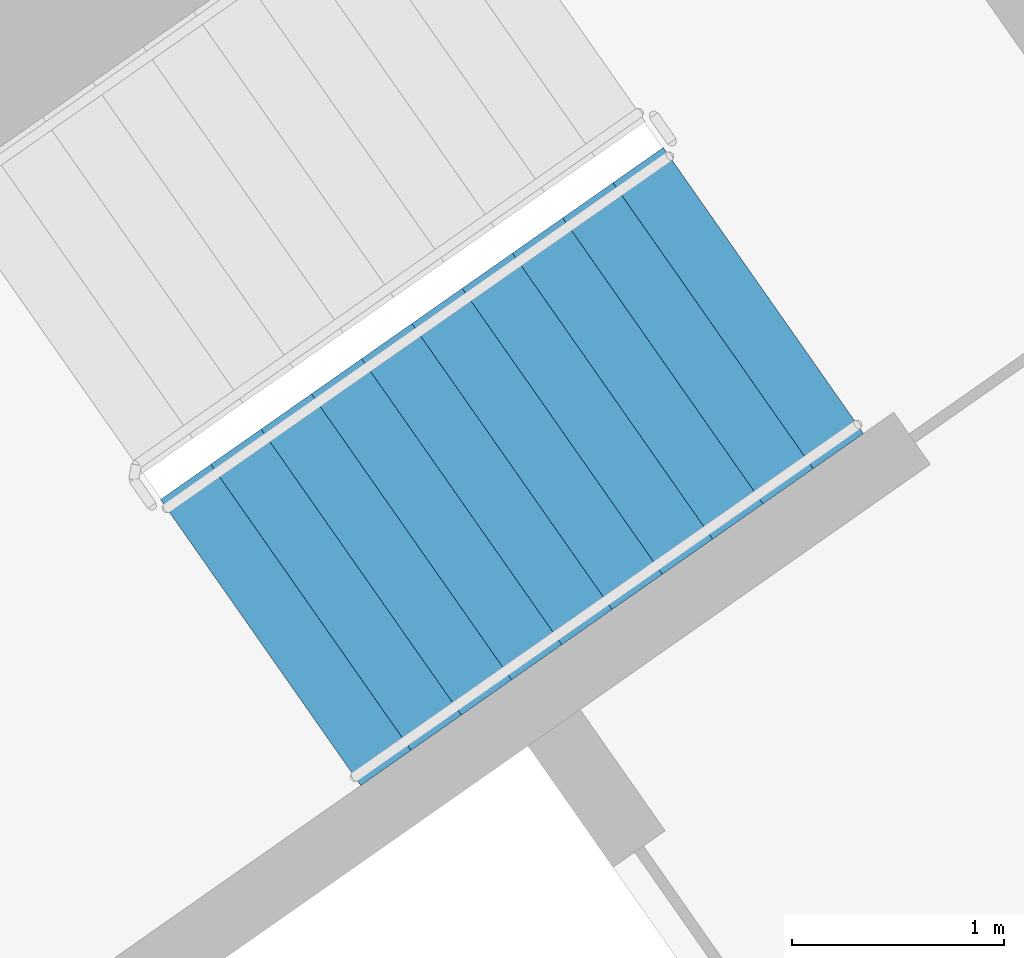
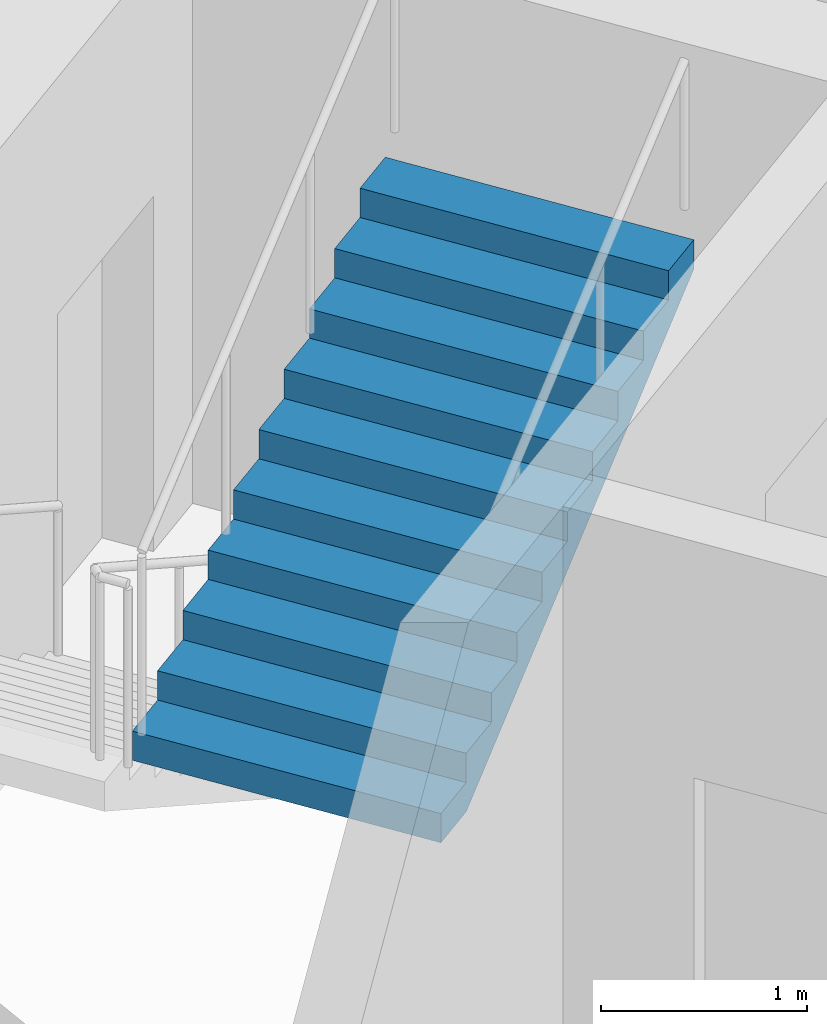
# One storey, part 15 of 29: 1 stair flight, 1 element without a shape of its own.
"""IFC4 building model written with IfcOpenShell, lengths in metres."""

from ifc_helpers import new_model, si_unit, direction, frame, origin, place, context, subcontext, project, spatial, faceted_brep, material, type_object, element, aggregate, save


model = new_model("IFC4")

# Units and contexts
model_context = context("Model", 3, precision=1e-05, world=origin(), true_north=direction((0.0, 1.0)))
body_context = subcontext(model_context, "Body", "Model", "MODEL_VIEW")
ifc_project = project(units=[si_unit("LENGTHUNIT", "METRE"), si_unit("AREAUNIT", "SQUARE_METRE"), si_unit("VOLUMEUNIT", "CUBIC_METRE"), si_unit("PLANEANGLEUNIT", "RADIAN"), si_unit("MASSUNIT", "GRAM", prefix="KILO")], contexts=[model_context])

# Site, building, storey
site_placement = place(None, origin())
site = spatial("IfcSite", under=ifc_project, at=site_placement, CompositionType="ELEMENT")
building_placement = place(site_placement, origin())
building = spatial("IfcBuilding", under=site, at=building_placement, Name="Qamariyya Broadcast Tower", CompositionType="ELEMENT")
storey_placement = place(building_placement, frame((0.0, 0.0, 207.5)))
storey = spatial("IfcBuildingStorey", under=building, at=storey_placement, Name="L49", CompositionType="ELEMENT", Elevation=207.5)

# Stair, stair flight
ifc_material = material(Name="Concrete C50/60", Category="concrete")
stair_type = type_object("IfcStairType", Name="Exit stair 22 risers of 173 mm", PredefinedType="HALF_TURN_STAIR", material=ifc_material)
stair_placement = place(storey_placement, origin())
stair = element("IfcStair", 1, at=stair_placement, inside=storey, type_object=stair_type, Name="L49 Stair E2", PredefinedType="HALF_TURN_STAIR")
stair_flight_type = type_object("IfcStairFlightType", Name="Exit stair flight 11 risers of 173 mm", PredefinedType="STRAIGHT", material=ifc_material)
stair_flight_placement = place(storey_placement, frame((39.215576171875, -50.822998046875, 1.89990234375), z_axis=(0.0, 0.0, 1.0), x_axis=(0.819152044289, 0.573576436351, 0.0)))
stair_flight = element("IfcStairFlight", 2, at=stair_flight_placement, type_object=stair_flight_type, Name="ST-E2 flight 2", NumberOfRisers=11, NumberOfTreads=10, PredefinedType="STRAIGHT", RiserHeight=0.172727273, TreadLength=0.29, context=body_context, shape_type="Brep", body=[
    faceted_brep([(0.0, 0.824951171875, 0.0), (0.0, 0.824951171875, 0.172607421875), (0.2900390625, 0.824951171875, 0.172607421875), (0.2900390625, 0.824951171875, 0.345458984375), (0.580078125, 0.824951171875, 0.345458984375), (0.580078125, 0.824951171875, 0.51806640625), (0.8701171875, 0.824951171875, 0.51806640625), (0.8701171875, 0.824951171875, 0.69091796875), (1.159912109375, 0.824951171875, 0.69091796875), (1.159912109375, 0.824951171875, 0.863525390625), (1.449951171875, 0.824951171875, 0.863525390625), (1.449951171875, 0.824951171875, 1.036376953125), (1.739990234375, 0.824951171875, 1.036376953125), (1.739990234375, 0.824951171875, 1.208984375), (2.030029296875, 0.824951171875, 1.208984375), (2.030029296875, 0.824951171875, 1.3818359375), (2.320068359375, 0.824951171875, 1.3818359375), (2.320068359375, 0.824951171875, 1.554443359375), (2.610107421875, 0.824951171875, 1.554443359375), (2.610107421875, 0.824951171875, 1.727294921875), (2.89990234375, 0.824951171875, 1.727294921875), (2.89990234375, 0.824951171875, 1.552734375), (0.29296875, 0.824951171875, 0.0), (0.29296875, -0.824951171875, 0.0), (2.89990234375, -0.824951171875, 1.552734375), (2.89990234375, -0.824951171875, 1.727294921875), (2.610107421875, -0.824951171875, 1.727294921875), (2.610107421875, -0.824951171875, 1.554443359375), (2.320068359375, -0.824951171875, 1.554443359375), (2.320068359375, -0.824951171875, 1.3818359375), (2.030029296875, -0.824951171875, 1.3818359375), (2.030029296875, -0.824951171875, 1.208984375), (1.739990234375, -0.824951171875, 1.208984375), (1.739990234375, -0.824951171875, 1.036376953125), (1.449951171875, -0.824951171875, 1.036376953125), (1.449951171875, -0.824951171875, 0.863525390625), (1.159912109375, -0.824951171875, 0.863525390625), (1.159912109375, -0.824951171875, 0.69091796875), (0.8701171875, -0.824951171875, 0.69091796875), (0.8701171875, -0.824951171875, 0.51806640625), (0.580078125, -0.824951171875, 0.51806640625), (0.580078125, -0.824951171875, 0.345458984375), (0.2900390625, -0.824951171875, 0.345458984375), (0.2900390625, -0.824951171875, 0.172607421875), (0.0, -0.824951171875, 0.172607421875), (0.0, -0.824951171875, 0.0), (0.0, 0.10009765625, 0.0), (0.0, 0.086669921875, 0.0), (0.0, 0.0732421875, 0.0), (0.0, 0.06005859375, 0.0), (0.0, 0.046630859375, 0.0), (0.0, 0.033447265625, 0.0), (0.0, 0.02001953125, 0.0), (0.0, 0.006591796875, 0.0), (0.0, -0.006591796875, 0.0), (0.0, -0.02001953125, 0.0), (0.0, -0.033447265625, 0.0), (0.0, -0.046630859375, 0.0), (0.0, -0.06005859375, 0.0), (0.0, -0.0732421875, 0.0), (0.0, -0.086669921875, 0.0), (0.0, -0.10009765625, 0.0), (0.0, -0.10009765625, 0.172607421875), (0.0, -0.086669921875, 0.172607421875), (0.0, -0.0732421875, 0.172607421875), (0.0, -0.06005859375, 0.172607421875), (0.0, -0.046630859375, 0.172607421875), (0.0, -0.033447265625, 0.172607421875), (0.0, -0.02001953125, 0.172607421875), (0.0, -0.006591796875, 0.172607421875), (0.0, 0.006591796875, 0.172607421875), (0.0, 0.02001953125, 0.172607421875), (0.0, 0.033447265625, 0.172607421875), (0.0, 0.046630859375, 0.172607421875), (0.0, 0.06005859375, 0.172607421875), (0.0, 0.0732421875, 0.172607421875), (0.0, 0.086669921875, 0.172607421875), (0.0, 0.10009765625, 0.172607421875), (0.2900390625, -0.10009765625, 0.172607421875), (0.2900390625, -0.086669921875, 0.172607421875), (0.2900390625, -0.0732421875, 0.172607421875), (0.2900390625, -0.06005859375, 0.172607421875), (0.2900390625, -0.046630859375, 0.172607421875), (0.2900390625, -0.033447265625, 0.172607421875), (0.2900390625, -0.02001953125, 0.172607421875), (0.2900390625, -0.006591796875, 0.172607421875), (0.2900390625, 0.006591796875, 0.172607421875), (0.2900390625, 0.02001953125, 0.172607421875), (0.2900390625, 0.033447265625, 0.172607421875), (0.2900390625, 0.046630859375, 0.172607421875), (0.2900390625, 0.06005859375, 0.172607421875), (0.2900390625, 0.0732421875, 0.172607421875), (0.2900390625, 0.086669921875, 0.172607421875), (0.2900390625, 0.10009765625, 0.172607421875), (0.2900390625, -0.10009765625, 0.345458984375), (0.2900390625, -0.086669921875, 0.345458984375), (0.2900390625, -0.0732421875, 0.345458984375), (0.2900390625, -0.06005859375, 0.345458984375), (0.2900390625, -0.046630859375, 0.345458984375), (0.2900390625, -0.033447265625, 0.345458984375), (0.2900390625, -0.02001953125, 0.345458984375), (0.2900390625, -0.006591796875, 0.345458984375), (0.2900390625, 0.006591796875, 0.345458984375), (0.2900390625, 0.02001953125, 0.345458984375), (0.2900390625, 0.033447265625, 0.345458984375), (0.2900390625, 0.046630859375, 0.345458984375), (0.2900390625, 0.06005859375, 0.345458984375), (0.2900390625, 0.0732421875, 0.345458984375), (0.2900390625, 0.086669921875, 0.345458984375), (0.2900390625, 0.10009765625, 0.345458984375), (0.580078125, -0.10009765625, 0.345458984375), (0.580078125, -0.086669921875, 0.345458984375), (0.580078125, -0.0732421875, 0.345458984375), (0.580078125, -0.06005859375, 0.345458984375), (0.580078125, -0.046630859375, 0.345458984375), (0.580078125, -0.033447265625, 0.345458984375), (0.580078125, -0.02001953125, 0.345458984375), (0.580078125, -0.006591796875, 0.345458984375), (0.580078125, 0.006591796875, 0.345458984375), (0.580078125, 0.02001953125, 0.345458984375), (0.580078125, 0.033447265625, 0.345458984375), (0.580078125, 0.046630859375, 0.345458984375), (0.580078125, 0.06005859375, 0.345458984375), (0.580078125, 0.0732421875, 0.345458984375), (0.580078125, 0.086669921875, 0.345458984375), (0.580078125, 0.10009765625, 0.345458984375), (0.580078125, -0.10009765625, 0.51806640625), (0.580078125, -0.086669921875, 0.51806640625), (0.580078125, -0.0732421875, 0.51806640625), (0.580078125, -0.06005859375, 0.51806640625), (0.580078125, -0.046630859375, 0.51806640625), (0.580078125, -0.033447265625, 0.51806640625), (0.580078125, -0.02001953125, 0.51806640625), (0.580078125, -0.006591796875, 0.51806640625), (0.580078125, 0.006591796875, 0.51806640625), (0.580078125, 0.02001953125, 0.51806640625), (0.580078125, 0.033447265625, 0.51806640625), (0.580078125, 0.046630859375, 0.51806640625), (0.580078125, 0.06005859375, 0.51806640625), (0.580078125, 0.0732421875, 0.51806640625), (0.580078125, 0.086669921875, 0.51806640625), (0.580078125, 0.10009765625, 0.51806640625), (0.8701171875, -0.10009765625, 0.51806640625), (0.8701171875, -0.086669921875, 0.51806640625), (0.8701171875, -0.0732421875, 0.51806640625), (0.8701171875, -0.06005859375, 0.51806640625), (0.8701171875, -0.046630859375, 0.51806640625), (0.8701171875, -0.033447265625, 0.51806640625), (0.8701171875, -0.02001953125, 0.51806640625), (0.8701171875, -0.006591796875, 0.51806640625), (0.8701171875, 0.006591796875, 0.51806640625), (0.8701171875, 0.02001953125, 0.51806640625), (0.8701171875, 0.033447265625, 0.51806640625), (0.8701171875, 0.046630859375, 0.51806640625), (0.8701171875, 0.06005859375, 0.51806640625), (0.8701171875, 0.0732421875, 0.51806640625), (0.8701171875, 0.086669921875, 0.51806640625), (0.8701171875, 0.10009765625, 0.51806640625), (0.8701171875, -0.10009765625, 0.69091796875), (0.8701171875, -0.086669921875, 0.69091796875), (0.8701171875, -0.0732421875, 0.69091796875), (0.8701171875, -0.06005859375, 0.69091796875), (0.8701171875, -0.046630859375, 0.69091796875), (0.8701171875, -0.033447265625, 0.69091796875), (0.8701171875, -0.02001953125, 0.69091796875), (0.8701171875, -0.006591796875, 0.69091796875), (0.8701171875, 0.006591796875, 0.69091796875), (0.8701171875, 0.02001953125, 0.69091796875), (0.8701171875, 0.033447265625, 0.69091796875), (0.8701171875, 0.046630859375, 0.69091796875), (0.8701171875, 0.06005859375, 0.69091796875), (0.8701171875, 0.0732421875, 0.69091796875), (0.8701171875, 0.086669921875, 0.69091796875), (0.8701171875, 0.10009765625, 0.69091796875), (1.159912109375, -0.10009765625, 0.69091796875), (1.159912109375, -0.086669921875, 0.69091796875), (1.159912109375, -0.0732421875, 0.69091796875), (1.159912109375, -0.06005859375, 0.69091796875), (1.159912109375, -0.046630859375, 0.69091796875), (1.159912109375, -0.033447265625, 0.69091796875), (1.159912109375, -0.02001953125, 0.69091796875), (1.159912109375, -0.006591796875, 0.69091796875), (1.159912109375, 0.006591796875, 0.69091796875), (1.159912109375, 0.02001953125, 0.69091796875), (1.159912109375, 0.033447265625, 0.69091796875), (1.159912109375, 0.046630859375, 0.69091796875), (1.159912109375, 0.06005859375, 0.69091796875), (1.159912109375, 0.0732421875, 0.69091796875), (1.159912109375, 0.086669921875, 0.69091796875), (1.159912109375, 0.10009765625, 0.69091796875), (1.159912109375, -0.10009765625, 0.863525390625), (1.159912109375, -0.086669921875, 0.863525390625), (1.159912109375, -0.0732421875, 0.863525390625), (1.159912109375, -0.06005859375, 0.863525390625), (1.159912109375, -0.046630859375, 0.863525390625), (1.159912109375, -0.033447265625, 0.863525390625), (1.159912109375, -0.02001953125, 0.863525390625), (1.159912109375, -0.006591796875, 0.863525390625), (1.159912109375, 0.006591796875, 0.863525390625), (1.159912109375, 0.02001953125, 0.863525390625), (1.159912109375, 0.033447265625, 0.863525390625), (1.159912109375, 0.046630859375, 0.863525390625), (1.159912109375, 0.06005859375, 0.863525390625), (1.159912109375, 0.0732421875, 0.863525390625), (1.159912109375, 0.086669921875, 0.863525390625), (1.159912109375, 0.10009765625, 0.863525390625), (1.449951171875, -0.10009765625, 0.863525390625), (1.449951171875, -0.086669921875, 0.863525390625), (1.449951171875, -0.0732421875, 0.863525390625), (1.449951171875, -0.06005859375, 0.863525390625), (1.449951171875, -0.046630859375, 0.863525390625), (1.449951171875, -0.033447265625, 0.863525390625), (1.449951171875, -0.02001953125, 0.863525390625), (1.449951171875, -0.006591796875, 0.863525390625), (1.449951171875, 0.006591796875, 0.863525390625), (1.449951171875, 0.02001953125, 0.863525390625), (1.449951171875, 0.033447265625, 0.863525390625), (1.449951171875, 0.046630859375, 0.863525390625), (1.449951171875, 0.06005859375, 0.863525390625), (1.449951171875, 0.0732421875, 0.863525390625), (1.449951171875, 0.086669921875, 0.863525390625), (1.449951171875, 0.10009765625, 0.863525390625), (1.449951171875, -0.10009765625, 1.036376953125), (1.449951171875, -0.086669921875, 1.036376953125), (1.449951171875, -0.0732421875, 1.036376953125), (1.449951171875, -0.06005859375, 1.036376953125), (1.449951171875, -0.046630859375, 1.036376953125), (1.449951171875, -0.033447265625, 1.036376953125), (1.449951171875, -0.02001953125, 1.036376953125), (1.449951171875, -0.006591796875, 1.036376953125), (1.449951171875, 0.006591796875, 1.036376953125), (1.449951171875, 0.02001953125, 1.036376953125), (1.449951171875, 0.033447265625, 1.036376953125), (1.449951171875, 0.046630859375, 1.036376953125), (1.449951171875, 0.06005859375, 1.036376953125), (1.449951171875, 0.0732421875, 1.036376953125), (1.449951171875, 0.086669921875, 1.036376953125), (1.449951171875, 0.10009765625, 1.036376953125), (1.739990234375, -0.10009765625, 1.036376953125), (1.739990234375, -0.086669921875, 1.036376953125), (1.739990234375, -0.0732421875, 1.036376953125), (1.739990234375, -0.06005859375, 1.036376953125), (1.739990234375, -0.046630859375, 1.036376953125), (1.739990234375, -0.033447265625, 1.036376953125), (1.739990234375, -0.02001953125, 1.036376953125), (1.739990234375, -0.006591796875, 1.036376953125), (1.739990234375, 0.006591796875, 1.036376953125), (1.739990234375, 0.02001953125, 1.036376953125), (1.739990234375, 0.033447265625, 1.036376953125), (1.739990234375, 0.046630859375, 1.036376953125), (1.739990234375, 0.06005859375, 1.036376953125), (1.739990234375, 0.0732421875, 1.036376953125), (1.739990234375, 0.086669921875, 1.036376953125), (1.739990234375, 0.10009765625, 1.036376953125), (1.739990234375, -0.10009765625, 1.208984375), (1.739990234375, -0.086669921875, 1.208984375), (1.739990234375, -0.0732421875, 1.208984375), (1.739990234375, -0.06005859375, 1.208984375), (1.739990234375, -0.046630859375, 1.208984375), (1.739990234375, -0.033447265625, 1.208984375), (1.739990234375, -0.02001953125, 1.208984375), (1.739990234375, -0.006591796875, 1.208984375), (1.739990234375, 0.006591796875, 1.208984375), (1.739990234375, 0.02001953125, 1.208984375), (1.739990234375, 0.033447265625, 1.208984375), (1.739990234375, 0.046630859375, 1.208984375), (1.739990234375, 0.06005859375, 1.208984375), (1.739990234375, 0.0732421875, 1.208984375), (1.739990234375, 0.086669921875, 1.208984375), (1.739990234375, 0.10009765625, 1.208984375), (2.030029296875, -0.10009765625, 1.208984375), (2.030029296875, -0.086669921875, 1.208984375), (2.030029296875, -0.0732421875, 1.208984375), (2.030029296875, -0.06005859375, 1.208984375), (2.030029296875, -0.046630859375, 1.208984375), (2.030029296875, -0.033447265625, 1.208984375), (2.030029296875, -0.02001953125, 1.208984375), (2.030029296875, -0.006591796875, 1.208984375), (2.030029296875, 0.006591796875, 1.208984375), (2.030029296875, 0.02001953125, 1.208984375), (2.030029296875, 0.033447265625, 1.208984375), (2.030029296875, 0.046630859375, 1.208984375), (2.030029296875, 0.06005859375, 1.208984375), (2.030029296875, 0.0732421875, 1.208984375), (2.030029296875, 0.086669921875, 1.208984375), (2.030029296875, 0.10009765625, 1.208984375), (2.030029296875, -0.10009765625, 1.3818359375), (2.030029296875, -0.086669921875, 1.3818359375), (2.030029296875, -0.0732421875, 1.3818359375), (2.030029296875, -0.06005859375, 1.3818359375), (2.030029296875, -0.046630859375, 1.3818359375), (2.030029296875, -0.033447265625, 1.3818359375), (2.030029296875, -0.02001953125, 1.3818359375), (2.030029296875, -0.006591796875, 1.3818359375), (2.030029296875, 0.006591796875, 1.3818359375), (2.030029296875, 0.02001953125, 1.3818359375), (2.030029296875, 0.033447265625, 1.3818359375), (2.030029296875, 0.046630859375, 1.3818359375), (2.030029296875, 0.06005859375, 1.3818359375), (2.030029296875, 0.0732421875, 1.3818359375), (2.030029296875, 0.086669921875, 1.3818359375), (2.030029296875, 0.10009765625, 1.3818359375), (2.320068359375, -0.10009765625, 1.3818359375), (2.320068359375, -0.086669921875, 1.3818359375), (2.320068359375, -0.0732421875, 1.3818359375), (2.320068359375, -0.06005859375, 1.3818359375), (2.320068359375, -0.046630859375, 1.3818359375), (2.320068359375, -0.033447265625, 1.3818359375), (2.320068359375, -0.02001953125, 1.3818359375), (2.320068359375, -0.006591796875, 1.3818359375), (2.320068359375, 0.006591796875, 1.3818359375), (2.320068359375, 0.02001953125, 1.3818359375), (2.320068359375, 0.033447265625, 1.3818359375), (2.320068359375, 0.046630859375, 1.3818359375), (2.320068359375, 0.06005859375, 1.3818359375), (2.320068359375, 0.0732421875, 1.3818359375), (2.320068359375, 0.086669921875, 1.3818359375), (2.320068359375, 0.10009765625, 1.3818359375), (2.320068359375, -0.10009765625, 1.554443359375), (2.320068359375, -0.086669921875, 1.554443359375), (2.320068359375, -0.0732421875, 1.554443359375), (2.320068359375, -0.06005859375, 1.554443359375), (2.320068359375, -0.046630859375, 1.554443359375), (2.320068359375, -0.033447265625, 1.554443359375), (2.320068359375, -0.02001953125, 1.554443359375), (2.320068359375, -0.006591796875, 1.554443359375), (2.320068359375, 0.006591796875, 1.554443359375), (2.320068359375, 0.02001953125, 1.554443359375), (2.320068359375, 0.033447265625, 1.554443359375), (2.320068359375, 0.046630859375, 1.554443359375), (2.320068359375, 0.06005859375, 1.554443359375), (2.320068359375, 0.0732421875, 1.554443359375), (2.320068359375, 0.086669921875, 1.554443359375), (2.320068359375, 0.10009765625, 1.554443359375), (2.610107421875, -0.10009765625, 1.554443359375), (2.610107421875, -0.086669921875, 1.554443359375), (2.610107421875, -0.0732421875, 1.554443359375), (2.610107421875, -0.06005859375, 1.554443359375), (2.610107421875, -0.046630859375, 1.554443359375), (2.610107421875, -0.033447265625, 1.554443359375), (2.610107421875, -0.02001953125, 1.554443359375), (2.610107421875, -0.006591796875, 1.554443359375), (2.610107421875, 0.006591796875, 1.554443359375), (2.610107421875, 0.02001953125, 1.554443359375), (2.610107421875, 0.033447265625, 1.554443359375), (2.610107421875, 0.046630859375, 1.554443359375), (2.610107421875, 0.06005859375, 1.554443359375), (2.610107421875, 0.0732421875, 1.554443359375), (2.610107421875, 0.086669921875, 1.554443359375), (2.610107421875, 0.10009765625, 1.554443359375), (2.610107421875, -0.10009765625, 1.727294921875), (2.610107421875, -0.086669921875, 1.727294921875), (2.610107421875, -0.0732421875, 1.727294921875), (2.610107421875, -0.06005859375, 1.727294921875), (2.610107421875, -0.046630859375, 1.727294921875), (2.610107421875, -0.033447265625, 1.727294921875), (2.610107421875, -0.02001953125, 1.727294921875), (2.610107421875, -0.006591796875, 1.727294921875), (2.610107421875, 0.006591796875, 1.727294921875), (2.610107421875, 0.02001953125, 1.727294921875), (2.610107421875, 0.033447265625, 1.727294921875), (2.610107421875, 0.046630859375, 1.727294921875), (2.610107421875, 0.06005859375, 1.727294921875), (2.610107421875, 0.0732421875, 1.727294921875), (2.610107421875, 0.086669921875, 1.727294921875), (2.610107421875, 0.10009765625, 1.727294921875), (2.89990234375, -0.10009765625, 1.727294921875), (2.89990234375, -0.086669921875, 1.727294921875), (2.89990234375, -0.0732421875, 1.727294921875), (2.89990234375, -0.06005859375, 1.727294921875), (2.89990234375, -0.046630859375, 1.727294921875), (2.89990234375, -0.033447265625, 1.727294921875), (2.89990234375, -0.02001953125, 1.727294921875), (2.89990234375, -0.006591796875, 1.727294921875), (2.89990234375, 0.006591796875, 1.727294921875), (2.89990234375, 0.02001953125, 1.727294921875), (2.89990234375, 0.033447265625, 1.727294921875), (2.89990234375, 0.046630859375, 1.727294921875), (2.89990234375, 0.06005859375, 1.727294921875), (2.89990234375, 0.0732421875, 1.727294921875), (2.89990234375, 0.086669921875, 1.727294921875), (2.89990234375, 0.10009765625, 1.727294921875), (2.89990234375, -0.10009765625, 1.552734375), (2.89990234375, -0.086669921875, 1.552734375), (2.89990234375, -0.0732421875, 1.552734375), (2.89990234375, -0.06005859375, 1.552734375), (2.89990234375, -0.046630859375, 1.552734375), (2.89990234375, -0.033447265625, 1.552734375), (2.89990234375, -0.02001953125, 1.552734375), (2.89990234375, -0.006591796875, 1.552734375), (2.89990234375, 0.006591796875, 1.552734375), (2.89990234375, 0.02001953125, 1.552734375), (2.89990234375, 0.033447265625, 1.552734375), (2.89990234375, 0.046630859375, 1.552734375), (2.89990234375, 0.06005859375, 1.552734375), (2.89990234375, 0.0732421875, 1.552734375), (2.89990234375, 0.086669921875, 1.552734375), (2.89990234375, 0.10009765625, 1.552734375), (0.29296875, -0.10009765625, 0.0), (0.29296875, -0.086669921875, 0.0), (0.29296875, -0.0732421875, 0.0), (0.29296875, -0.06005859375, 0.0), (0.29296875, -0.046630859375, 0.0), (0.29296875, -0.033447265625, 0.0), (0.29296875, -0.02001953125, 0.0), (0.29296875, -0.006591796875, 0.0), (0.29296875, 0.006591796875, 0.0), (0.29296875, 0.02001953125, 0.0), (0.29296875, 0.033447265625, 0.0), (0.29296875, 0.046630859375, 0.0), (0.29296875, 0.06005859375, 0.0), (0.29296875, 0.0732421875, 0.0), (0.29296875, 0.086669921875, 0.0), (0.29296875, 0.10009765625, 0.0)], [[[0, 1, 2, 3, 4, 5, 6, 7, 8, 9, 10, 11, 12, 13, 14, 15, 16, 17, 18, 19, 20, 21, 22]], [[23, 24, 25, 26, 27, 28, 29, 30, 31, 32, 33, 34, 35, 36, 37, 38, 39, 40, 41, 42, 43, 44, 45]], [[0, 46, 47, 48, 49, 50, 51, 52, 53, 54, 55, 56, 57, 58, 59, 60, 61, 45, 44, 62, 63, 64, 65, 66, 67, 68, 69, 70, 71, 72, 73, 74, 75, 76, 77, 1]], [[1, 77, 76, 75, 74, 73, 72, 71, 70, 69, 68, 67, 66, 65, 64, 63, 62, 44, 43, 78, 79, 80, 81, 82, 83, 84, 85, 86, 87, 88, 89, 90, 91, 92, 93, 2]], [[2, 93, 92, 91, 90, 89, 88, 87, 86, 85, 84, 83, 82, 81, 80, 79, 78, 43, 42, 94, 95, 96, 97, 98, 99, 100, 101, 102, 103, 104, 105, 106, 107, 108, 109, 3]], [[3, 109, 108, 107, 106, 105, 104, 103, 102, 101, 100, 99, 98, 97, 96, 95, 94, 42, 41, 110, 111, 112, 113, 114, 115, 116, 117, 118, 119, 120, 121, 122, 123, 124, 125, 4]], [[4, 125, 124, 123, 122, 121, 120, 119, 118, 117, 116, 115, 114, 113, 112, 111, 110, 41, 40, 126, 127, 128, 129, 130, 131, 132, 133, 134, 135, 136, 137, 138, 139, 140, 141, 5]], [[5, 141, 140, 139, 138, 137, 136, 135, 134, 133, 132, 131, 130, 129, 128, 127, 126, 40, 39, 142, 143, 144, 145, 146, 147, 148, 149, 150, 151, 152, 153, 154, 155, 156, 157, 6]], [[6, 157, 156, 155, 154, 153, 152, 151, 150, 149, 148, 147, 146, 145, 144, 143, 142, 39, 38, 158, 159, 160, 161, 162, 163, 164, 165, 166, 167, 168, 169, 170, 171, 172, 173, 7]], [[7, 173, 172, 171, 170, 169, 168, 167, 166, 165, 164, 163, 162, 161, 160, 159, 158, 38, 37, 174, 175, 176, 177, 178, 179, 180, 181, 182, 183, 184, 185, 186, 187, 188, 189, 8]], [[8, 189, 188, 187, 186, 185, 184, 183, 182, 181, 180, 179, 178, 177, 176, 175, 174, 37, 36, 190, 191, 192, 193, 194, 195, 196, 197, 198, 199, 200, 201, 202, 203, 204, 205, 9]], [[9, 205, 204, 203, 202, 201, 200, 199, 198, 197, 196, 195, 194, 193, 192, 191, 190, 36, 35, 206, 207, 208, 209, 210, 211, 212, 213, 214, 215, 216, 217, 218, 219, 220, 221, 10]], [[10, 221, 220, 219, 218, 217, 216, 215, 214, 213, 212, 211, 210, 209, 208, 207, 206, 35, 34, 222, 223, 224, 225, 226, 227, 228, 229, 230, 231, 232, 233, 234, 235, 236, 237, 11]], [[11, 237, 236, 235, 234, 233, 232, 231, 230, 229, 228, 227, 226, 225, 224, 223, 222, 34, 33, 238, 239, 240, 241, 242, 243, 244, 245, 246, 247, 248, 249, 250, 251, 252, 253, 12]], [[12, 253, 252, 251, 250, 249, 248, 247, 246, 245, 244, 243, 242, 241, 240, 239, 238, 33, 32, 254, 255, 256, 257, 258, 259, 260, 261, 262, 263, 264, 265, 266, 267, 268, 269, 13]], [[13, 269, 268, 267, 266, 265, 264, 263, 262, 261, 260, 259, 258, 257, 256, 255, 254, 32, 31, 270, 271, 272, 273, 274, 275, 276, 277, 278, 279, 280, 281, 282, 283, 284, 285, 14]], [[14, 285, 284, 283, 282, 281, 280, 279, 278, 277, 276, 275, 274, 273, 272, 271, 270, 31, 30, 286, 287, 288, 289, 290, 291, 292, 293, 294, 295, 296, 297, 298, 299, 300, 301, 15]], [[15, 301, 300, 299, 298, 297, 296, 295, 294, 293, 292, 291, 290, 289, 288, 287, 286, 30, 29, 302, 303, 304, 305, 306, 307, 308, 309, 310, 311, 312, 313, 314, 315, 316, 317, 16]], [[16, 317, 316, 315, 314, 313, 312, 311, 310, 309, 308, 307, 306, 305, 304, 303, 302, 29, 28, 318, 319, 320, 321, 322, 323, 324, 325, 326, 327, 328, 329, 330, 331, 332, 333, 17]], [[17, 333, 332, 331, 330, 329, 328, 327, 326, 325, 324, 323, 322, 321, 320, 319, 318, 28, 27, 334, 335, 336, 337, 338, 339, 340, 341, 342, 343, 344, 345, 346, 347, 348, 349, 18]], [[18, 349, 348, 347, 346, 345, 344, 343, 342, 341, 340, 339, 338, 337, 336, 335, 334, 27, 26, 350, 351, 352, 353, 354, 355, 356, 357, 358, 359, 360, 361, 362, 363, 364, 365, 19]], [[19, 365, 364, 363, 362, 361, 360, 359, 358, 357, 356, 355, 354, 353, 352, 351, 350, 26, 25, 366, 367, 368, 369, 370, 371, 372, 373, 374, 375, 376, 377, 378, 379, 380, 381, 20]], [[20, 381, 380, 379, 378, 377, 376, 375, 374, 373, 372, 371, 370, 369, 368, 367, 366, 25, 24, 382, 383, 384, 385, 386, 387, 388, 389, 390, 391, 392, 393, 394, 395, 396, 397, 21]], [[21, 397, 396, 395, 394, 393, 392, 391, 390, 389, 388, 387, 386, 385, 384, 383, 382, 24, 23, 398, 399, 400, 401, 402, 403, 404, 405, 406, 407, 408, 409, 410, 411, 412, 413, 22]], [[22, 413, 412, 411, 410, 409, 408, 407, 406, 405, 404, 403, 402, 401, 400, 399, 398, 23, 45, 61, 60, 59, 58, 57, 56, 55, 54, 53, 52, 51, 50, 49, 48, 47, 46, 0]]]),
])
aggregate(stair, [stair_flight])

save(model, "model.ifc")
